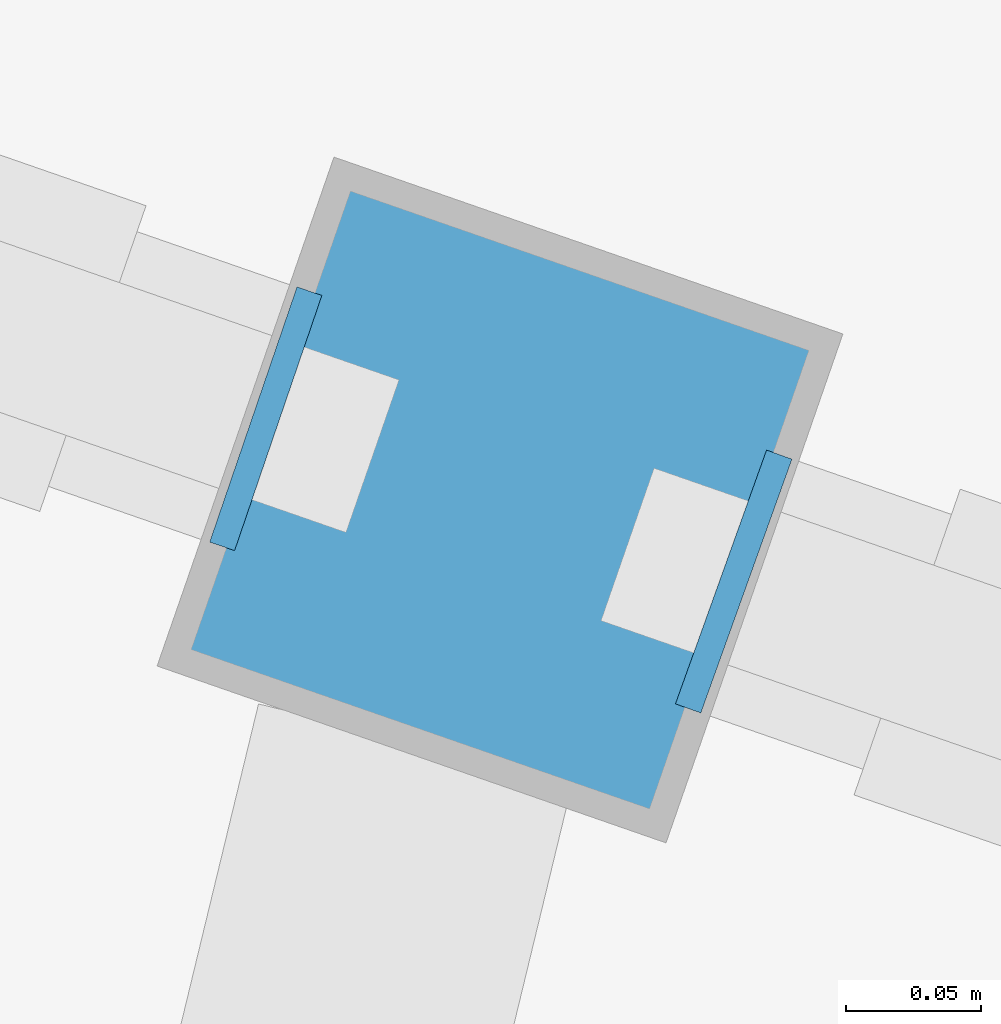
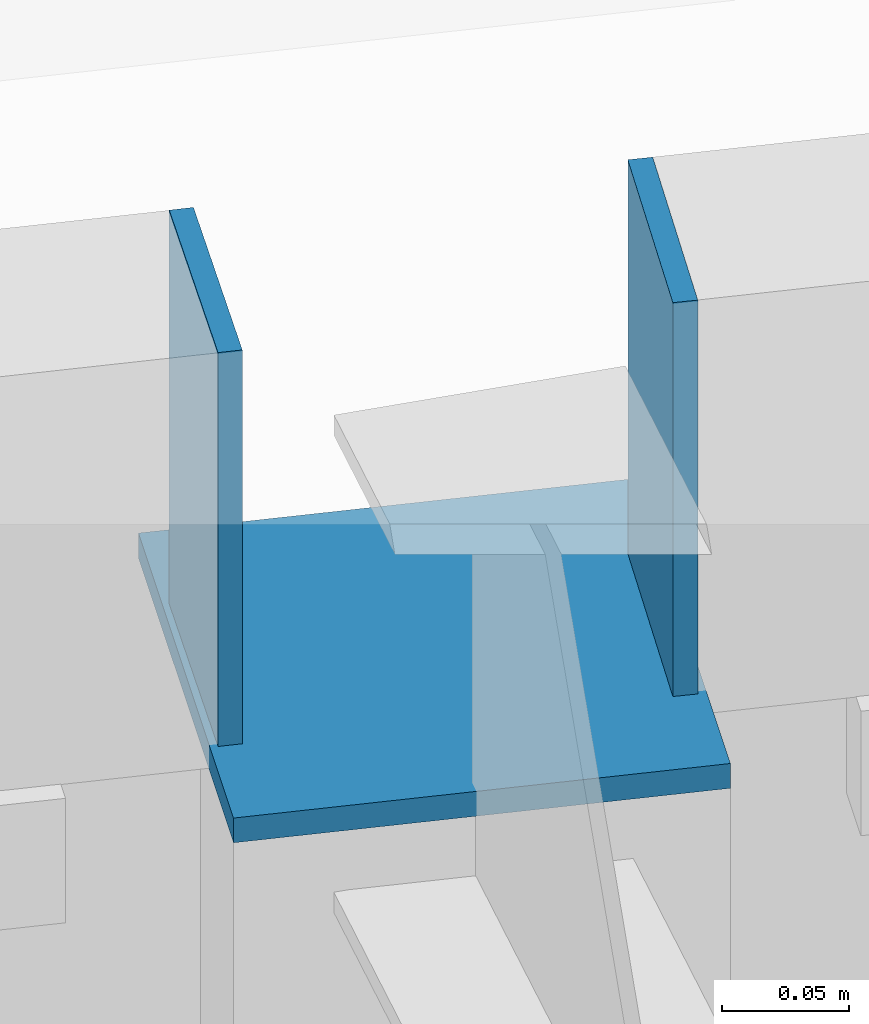
# One storey, part 197 of 226: 3 discrete accessories.
"""IFC4 building model written with IfcOpenShell, lengths in metres."""

from ifc_helpers import new_model, si_unit, direction, frame, origin, origin_2d, place, context, subcontext, project, spatial, rectangle, extrude, material, material_profile, profile_set, type_object, element, save


model = new_model("IFC4")

# Units and contexts
model_context = context("Model", 3, precision=1e-05, world=origin(), true_north=direction((0.0, 1.0)))
body_context = subcontext(model_context, "Body", "Model", "MODEL_VIEW")
ifc_project = project(units=[si_unit("LENGTHUNIT", "METRE"), si_unit("AREAUNIT", "SQUARE_METRE"), si_unit("VOLUMEUNIT", "CUBIC_METRE"), si_unit("PLANEANGLEUNIT", "RADIAN"), si_unit("MASSUNIT", "GRAM", prefix="KILO")], contexts=[model_context])

# Site, building, storey
site_placement = place(None, origin())
site = spatial("IfcSite", under=ifc_project, at=site_placement, CompositionType="ELEMENT")
building_placement = place(site_placement, origin())
building = spatial("IfcBuilding", under=site, at=building_placement, Name="Ceibo Conservatory and Research Tower", CompositionType="ELEMENT")
storey_placement = place(building_placement, origin())
storey = spatial("IfcBuildingStorey", under=building, at=storey_placement, Name="L00", CompositionType="ELEMENT", Elevation=0.0)

# Discrete accessories
ifc_material = material(Name="Steel S355J2", Category="steel")
ifc_material_profile_1 = material_profile(ifc_material, rectangle(XDim=0.10009765625, YDim=0.199951171875, at=origin_2d()), Name="End plate PL 200x100x8")
ifc_profile_set_1 = profile_set([ifc_material_profile_1], Name="Steel S355J2")
discrete_accessory_type_1 = type_object("IfcDiscreteAccessoryType", Name="End plate PL 200x100x8", PredefinedType="USERDEFINED", material=ifc_profile_set_1)
discrete_accessory_1_placement = place(storey_placement, frame((126.154541015625, 49.313720703125, 3.89990234375), z_axis=(0.946163984953, -0.323687679063, 0.0), x_axis=(0.323687679063, 0.946163984953, 0.0)))
element("IfcDiscreteAccessory", 1, at=discrete_accessory_1_placement, inside=storey, type_object=discrete_accessory_type_1, Name="Gallery edge beam AUD-VC-EBN11 end plate", ObjectType="End plate", PredefinedType="USERDEFINED", context=body_context, shape_type="SweptSolid", body=[
    extrude(rectangle(XDim=0.10009765625, YDim=0.199951171875, at=origin_2d()), origin(), (0.0, 0.0, 1.0), 0.009765625),
])
discrete_accessory_2_placement = place(storey_placement, frame((126.328125, 49.25341796875, 3.89990234375), z_axis=(0.941194670762, -0.337864753607, 0.0), x_axis=(0.337864753607, 0.941194670762, 0.0)))
element("IfcDiscreteAccessory", 2, at=discrete_accessory_2_placement, inside=storey, type_object=discrete_accessory_type_1, Name="Gallery edge beam AUD-VC-EBN12 end plate", ObjectType="End plate", PredefinedType="USERDEFINED", context=body_context, shape_type="SweptSolid", body=[
    extrude(rectangle(XDim=0.10009765625, YDim=0.199951171875, at=origin_2d()), origin(), (0.0, 0.0, 1.0), 0.010009765625),
])
ifc_material_profile_2 = material_profile(ifc_material, rectangle(XDim=0.199951171875, YDim=0.199951171875, at=origin_2d()), Name="End plate PL 200x200x10")
ifc_profile_set_2 = profile_set([ifc_material_profile_2], Name="Steel S355J2")
discrete_accessory_type_2 = type_object("IfcDiscreteAccessoryType", Name="End plate PL 200x200x10", PredefinedType="USERDEFINED", material=ifc_profile_set_2)
discrete_accessory_3_placement = place(storey_placement, frame((126.24609375, 49.281982421875, 3.798095703125), z_axis=(0.0, 0.0, 1.0), x_axis=(0.944579236191, -0.328283515513, 0.0)))
element("IfcDiscreteAccessory", 3, at=discrete_accessory_3_placement, inside=storey, type_object=discrete_accessory_type_2, Name="Gallery column AUD-VC-CN11 end plate", ObjectType="End plate", PredefinedType="USERDEFINED", context=body_context, shape_type="SweptSolid", body=[
    extrude(rectangle(XDim=0.199951171875, YDim=0.199951171875, at=origin_2d()), origin(), (0.0, 0.0, 1.0), 0.011962890625),
])

save(model, "model.ifc")
